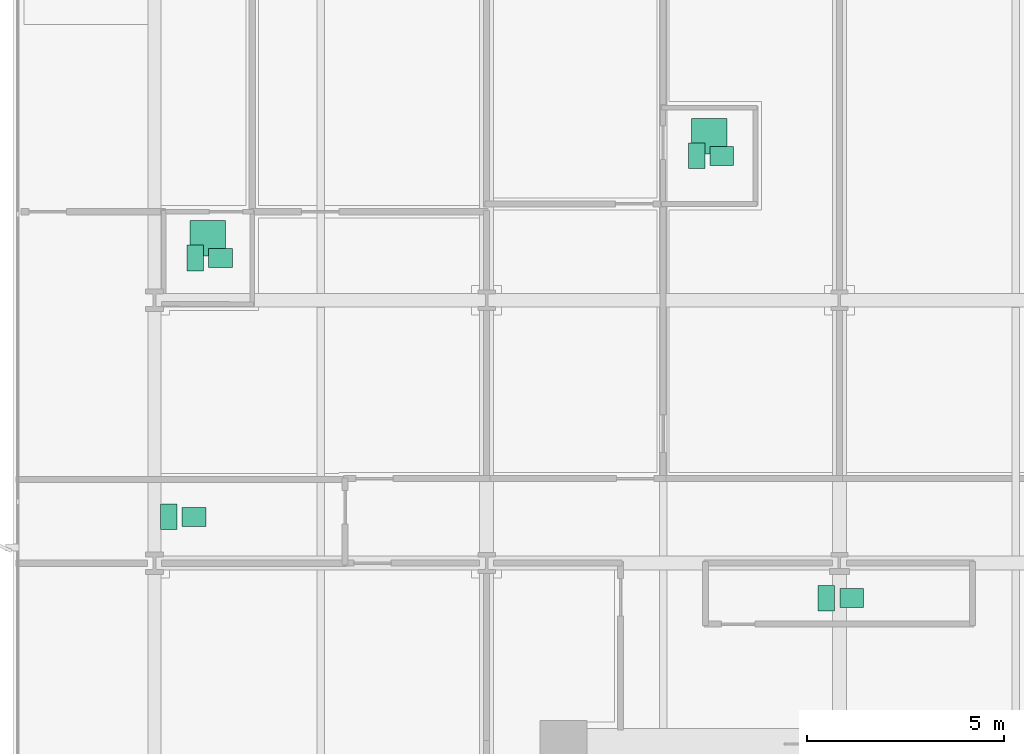
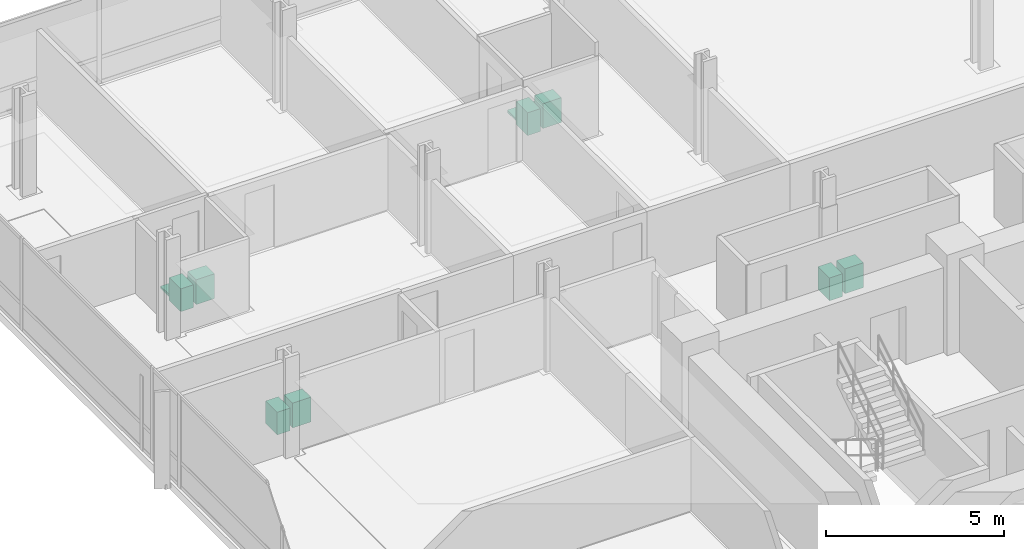
# One storey, part 20 of 20: 10 sanitary terminals.
"""IFC4 building model written with IfcOpenShell, lengths in metres."""

from ifc_helpers import new_model, si_unit, direction, frame, origin, origin_2d, place, context, subcontext, project, spatial, rectangle, extrude, material, type_object, element, save


model = new_model("IFC4")

# Units and contexts
model_context = context("Model", 3, precision=1e-05, world=origin(), true_north=direction((0.0, 1.0)))
body_context = subcontext(model_context, "Body", "Model", "MODEL_VIEW")
ifc_project = project(units=[si_unit("LENGTHUNIT", "METRE"), si_unit("AREAUNIT", "SQUARE_METRE"), si_unit("VOLUMEUNIT", "CUBIC_METRE"), si_unit("PLANEANGLEUNIT", "RADIAN"), si_unit("MASSUNIT", "GRAM", prefix="KILO")], contexts=[model_context])

# Site, building, storey
site_placement = place(None, origin())
site = spatial("IfcSite", under=ifc_project, at=site_placement, CompositionType="ELEMENT")
building_placement = place(site_placement, origin())
building = spatial("IfcBuilding", under=site, at=building_placement, Name="Solmavex Isthmus Hotel", CompositionType="ELEMENT")
storey_placement = place(building_placement, frame((0.0, 0.0, 57.449951171875)))
storey = spatial("IfcBuildingStorey", under=building, at=storey_placement, Name="L15", CompositionType="ELEMENT", Elevation=57.449951171875)

# Sanitary terminals
ifc_material = material(Name="Vitreous china ceramic", Category="ceramic")
sanitary_terminal_type_1 = type_object("IfcSanitaryTerminalType", Name="SAN-BASIN", PredefinedType="WASHHANDBASIN", material=ifc_material)
for number, where, z_axis, x_axis, name in (
    (1, (-24.720947265625, 9.863037109375, 0.0), (0.0, 0.0, 1.0), (1.0, 0.0, 0.0), "Vanity Washbasin L15-70"),
    (2, (-11.968994140625, 12.462890625, 0.0), (0.0, 0.0, 1.0), (1.0, 0.0, 0.0), "Vanity Washbasin L15-71"),
    (3, (-8.666015625, 1.21240234375, 0.0), (0.0, 0.0, 1.0), (1.0, 0.0, 0.0), "Vanity Washbasin L15-72"),
    (4, (-25.39599609375, 3.277587890625, 0.0), (0.0, 0.0, 1.0), (1.0, 0.0, 0.0), "Vanity Washbasin L15-73"),
):
    element("IfcSanitaryTerminal", number, at=place(storey_placement, frame(where, z_axis=z_axis, x_axis=x_axis)), inside=storey, type_object=sanitary_terminal_type_1, Name=name, PredefinedType="WASHHANDBASIN", context=body_context, shape_type="SweptSolid", body=[
        extrude(rectangle(XDim=0.60009765625, YDim=0.47998046875, at=origin_2d()), origin(), (0.0, 0.0, 1.0), 0.85009765625),
    ])
sanitary_terminal_type_2 = type_object("IfcSanitaryTerminalType", Name="SAN-SHOWER", PredefinedType="SHOWER", material=ifc_material)
for number, where, z_axis, x_axis, name in (
    (5, (-25.041015625, 10.363037109375, 0.0), (0.0, 0.0, 1.0), (1.0, 0.0, 0.0), "Walk-In Shower L15-70"),
    (6, (-12.2890625, 12.962890625, 0.0), (0.0, 0.0, 1.0), (1.0, 0.0, 0.0), "Walk-In Shower L15-71"),
):
    element("IfcSanitaryTerminal", number, at=place(storey_placement, frame(where, z_axis=z_axis, x_axis=x_axis)), inside=storey, type_object=sanitary_terminal_type_2, Name=name, PredefinedType="SHOWER", context=body_context, shape_type="SweptSolid", body=[
        extrude(rectangle(XDim=0.89990234375, YDim=0.89990234375, at=origin_2d()), origin(), (0.0, 0.0, 1.0), 0.080078125),
    ])
sanitary_terminal_type_3 = type_object("IfcSanitaryTerminalType", Name="SAN-WC-SUITE", PredefinedType="TOILETPAN", material=ifc_material)
for number, where, z_axis, x_axis, name in (
    (7, (-25.361083984375, 9.863037109375, 0.0), (0.0, 0.0, 1.0), (1.0, 0.0, 0.0), "Water Closet L15-70"),
    (8, (-12.60888671875, 12.462890625, 0.0), (0.0, 0.0, 1.0), (1.0, 0.0, 0.0), "Water Closet L15-71"),
    (9, (-9.305908203125, 1.21240234375, 0.0), (0.0, 0.0, 1.0), (1.0, 0.0, 0.0), "Water Closet L15-72"),
    (10, (-26.035888671875, 3.277587890625, 0.0), (0.0, 0.0, 1.0), (1.0, 0.0, 0.0), "Water Closet L15-73"),
):
    element("IfcSanitaryTerminal", number, at=place(storey_placement, frame(where, z_axis=z_axis, x_axis=x_axis)), inside=storey, type_object=sanitary_terminal_type_3, Name=name, PredefinedType="TOILETPAN", context=body_context, shape_type="SweptSolid", body=[
        extrude(rectangle(XDim=0.419921875, YDim=0.64990234375, at=origin_2d()), origin(), (0.0, 0.0, 1.0), 0.780029296875),
    ])

save(model, "model.ifc")
